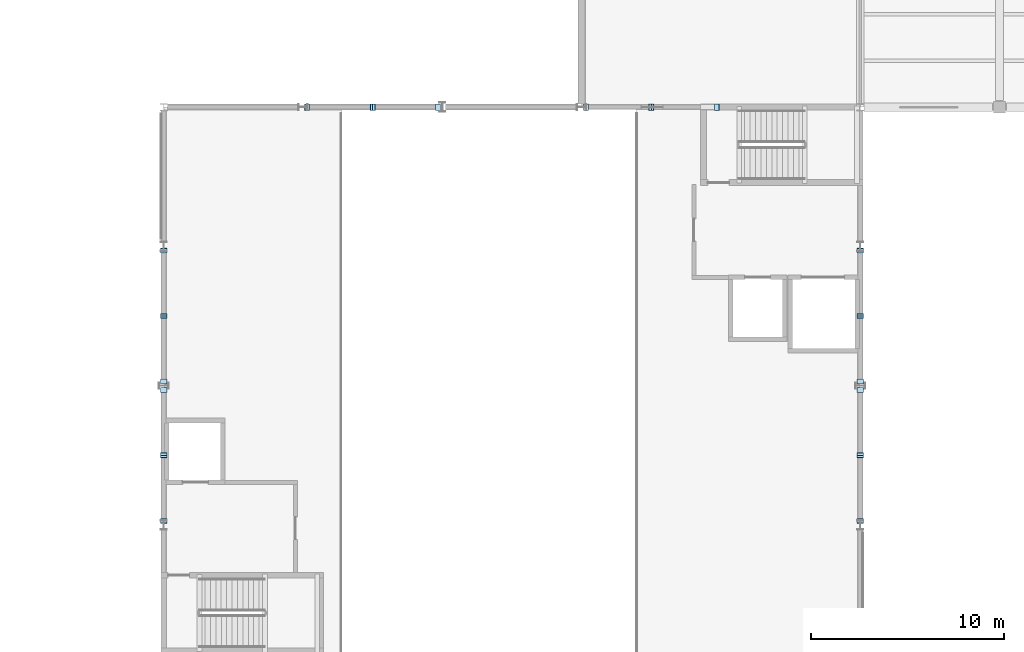
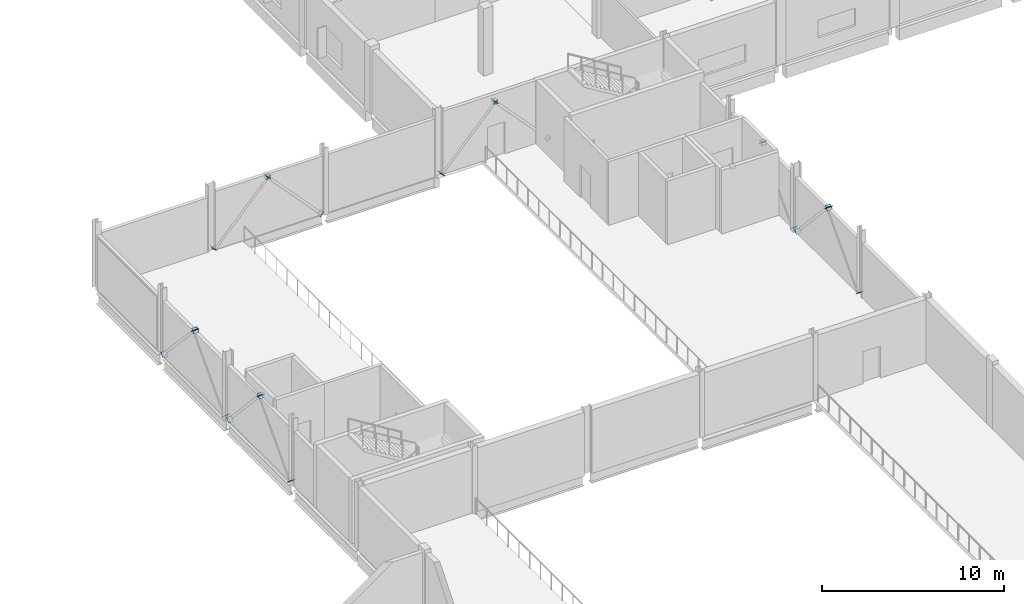
# One storey, part 86 of 105: 24 plates.
"""IFC4 building model written with IfcOpenShell, lengths in metres."""

from ifc_helpers import new_model, si_unit, direction, frame, origin, origin_2d, place, context, subcontext, project, spatial, rectangle, extrude, material, layer, layer_set, type_object, element, save


model = new_model("IFC4")

# Units and contexts
model_context = context("Model", 3, precision=1e-05, world=origin(), true_north=direction((0.0, 1.0)))
body_context = subcontext(model_context, "Body", "Model", "MODEL_VIEW")
ifc_project = project(units=[si_unit("LENGTHUNIT", "METRE"), si_unit("AREAUNIT", "SQUARE_METRE"), si_unit("VOLUMEUNIT", "CUBIC_METRE"), si_unit("PLANEANGLEUNIT", "RADIAN"), si_unit("MASSUNIT", "GRAM", prefix="KILO"), si_unit("THERMODYNAMICTEMPERATUREUNIT", "KELVIN"), si_unit("POWERUNIT", "WATT")], contexts=[model_context])

# Site, building, storey
site_placement = place(None, origin())
site = spatial("IfcSite", under=ifc_project, at=site_placement, CompositionType="ELEMENT")
building_placement = place(site_placement, origin())
building = spatial("IfcBuilding", under=site, at=building_placement, Name="Kaldorven Railside Theatre", CompositionType="ELEMENT")
storey_placement = place(building_placement, frame((0.0, 0.0, 9.89990234375)))
storey = spatial("IfcBuildingStorey", under=building, at=storey_placement, Name="L02", CompositionType="ELEMENT", Elevation=9.89990234375)

# Plates
ifc_material = material(Name="Steel S355", Category="steel")
ifc_layer = layer(ifc_material, 0.02001953125, Name="Steel S355")
ifc_layer_set = layer_set([ifc_layer], Name="Steel S355")
plate_type = type_object("IfcPlateType", Name="PLT-GUS-20", PredefinedType="USERDEFINED", material=ifc_layer_set)
for number, where, z_axis, x_axis, name in (
    (1, (87.199951171875, 91.40771484375, 0.02685546875), (0.0, 0.680465121782, 0.732780470562), (-1.0, 0.0, 0.0), "End cap gusset plate PL-0025"),
    (2, (87.199951171875, 94.798583984375, 3.6787109375), (0.0, 0.680465121782, 0.732780470562), (-1.0, 0.0, 0.0), "End cap gusset plate PL-0026"),
    (3, (87.199951171875, 98.192138671875, 0.02685546875), (0.0, -0.680465121782, 0.732780470562), (1.0, 0.0, 0.0), "End cap gusset plate PL-0027"),
    (4, (87.199951171875, 94.801513671875, 3.6787109375), (0.0, -0.680465121782, 0.732780470562), (1.0, 0.0, 0.0), "End cap gusset plate PL-0028"),
    (5, (87.199951171875, 98.607666015625, 0.02685546875), (0.0, 0.680465121782, 0.732780470562), (-1.0, 0.0, 0.0), "End cap gusset plate PL-0029"),
    (6, (87.199951171875, 101.99853515625, 3.6787109375), (0.0, 0.680465121782, 0.732780470562), (-1.0, 0.0, 0.0), "End cap gusset plate PL-0030"),
    (7, (87.199951171875, 105.392333984375, 0.02685546875), (0.0, -0.680465121782, 0.732780470562), (1.0, 0.0, 0.0), "End cap gusset plate PL-0031"),
    (8, (87.199951171875, 102.00146484375, 3.6787109375), (0.0, -0.680465121782, 0.732780470562), (1.0, 0.0, 0.0), "End cap gusset plate PL-0032"),
    (9, (123.199951171875, 91.40771484375, 0.02685546875), (0.0, 0.680465121782, 0.732780470562), (-1.0, 0.0, 0.0), "End cap gusset plate PL-0033"),
    (10, (123.199951171875, 94.798583984375, 3.6787109375), (0.0, 0.680465121782, 0.732780470562), (-1.0, 0.0, 0.0), "End cap gusset plate PL-0034"),
    (11, (123.199951171875, 98.192138671875, 0.02685546875), (0.0, -0.680465121782, 0.732780470562), (1.0, 0.0, 0.0), "End cap gusset plate PL-0035"),
    (12, (123.199951171875, 94.801513671875, 3.6787109375), (0.0, -0.680465121782, 0.732780470562), (1.0, 0.0, 0.0), "End cap gusset plate PL-0036"),
    (13, (123.199951171875, 98.607666015625, 0.02685546875), (0.0, 0.680465121782, 0.732780470562), (-1.0, 0.0, 0.0), "End cap gusset plate PL-0037"),
    (14, (123.199951171875, 101.99853515625, 3.6787109375), (0.0, 0.680465121782, 0.732780470562), (-1.0, 0.0, 0.0), "End cap gusset plate PL-0038"),
    (15, (123.199951171875, 105.392333984375, 0.02685546875), (0.0, -0.680465121782, 0.732780470562), (1.0, 0.0, 0.0), "End cap gusset plate PL-0039"),
    (16, (123.199951171875, 102.00146484375, 3.6787109375), (0.0, -0.680465121782, 0.732780470562), (1.0, 0.0, 0.0), "End cap gusset plate PL-0040"),
    (17, (94.607666015625, 112.800048828125, 0.02685546875), (0.680465121782, 0.0, 0.732780470562), (0.0, 1.0, 0.0), "End cap gusset plate PL-0041"),
    (18, (97.99853515625, 112.800048828125, 3.6787109375), (0.680465121782, 0.0, 0.732780470562), (0.0, 1.0, 0.0), "End cap gusset plate PL-0042"),
    (19, (101.392333984375, 112.800048828125, 0.02685546875), (-0.680465121782, 0.0, 0.732780470562), (0.0, -1.0, 0.0), "End cap gusset plate PL-0043"),
    (20, (98.00146484375, 112.800048828125, 3.6787109375), (-0.680465121782, 0.0, 0.732780470562), (0.0, -1.0, 0.0), "End cap gusset plate PL-0044"),
    (21, (109.0078125, 112.800048828125, 0.02685546875), (0.680465121782, 0.0, 0.732780470562), (0.0, 1.0, 0.0), "End cap gusset plate PL-0045"),
    (22, (112.398681640625, 112.800048828125, 3.6787109375), (0.680465121782, 0.0, 0.732780470562), (0.0, 1.0, 0.0), "End cap gusset plate PL-0046"),
    (23, (115.792236328125, 112.800048828125, 0.02685546875), (-0.680465121782, 0.0, 0.732780470562), (0.0, -1.0, 0.0), "End cap gusset plate PL-0047"),
    (24, (112.4013671875, 112.800048828125, 3.6787109375), (-0.680465121782, 0.0, 0.732780470562), (0.0, -1.0, 0.0), "End cap gusset plate PL-0048"),
):
    element("IfcPlate", number, at=place(storey_placement, frame(where, z_axis=z_axis, x_axis=x_axis)), inside=storey, type_object=plate_type, Name=name, ObjectType="GUSSET PLATE", PredefinedType="USERDEFINED", context=body_context, shape_type="SweptSolid", body=[
        extrude(rectangle(XDim=0.3330078125, YDim=0.3330078125, at=origin_2d()), origin(), (0.0, 0.0, 1.0), 0.02001953125),
    ])

save(model, "model.ifc")
